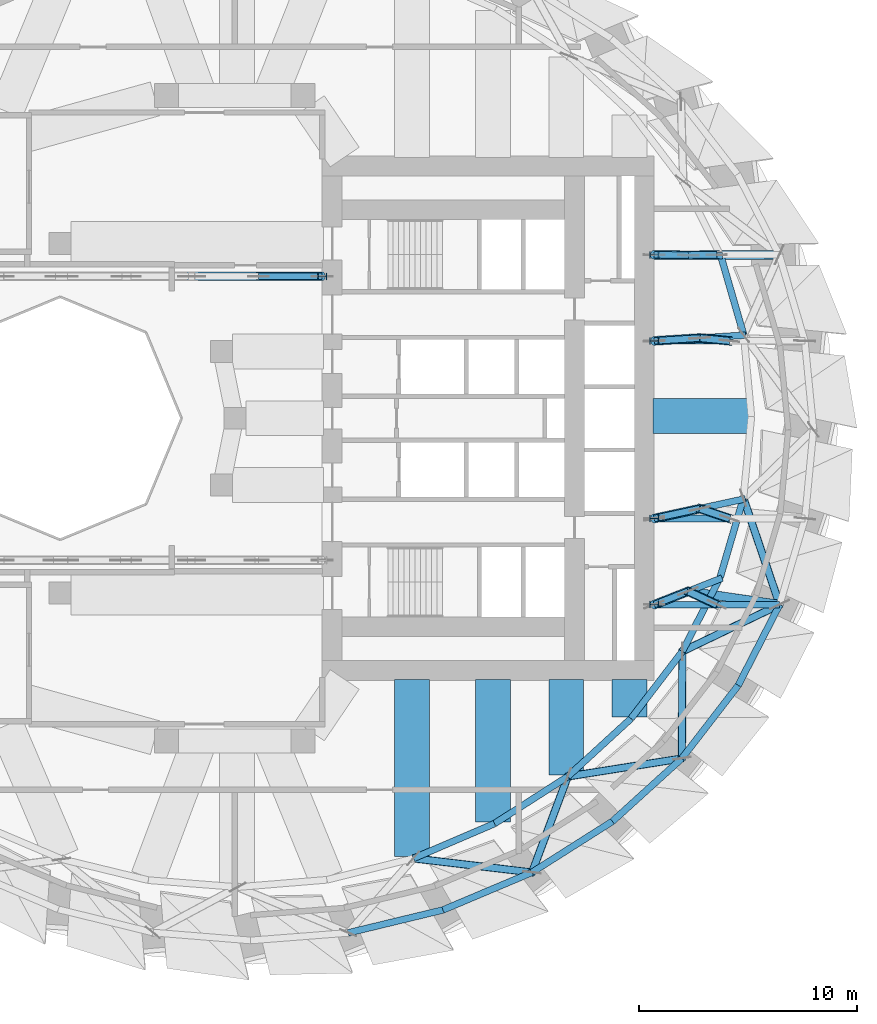
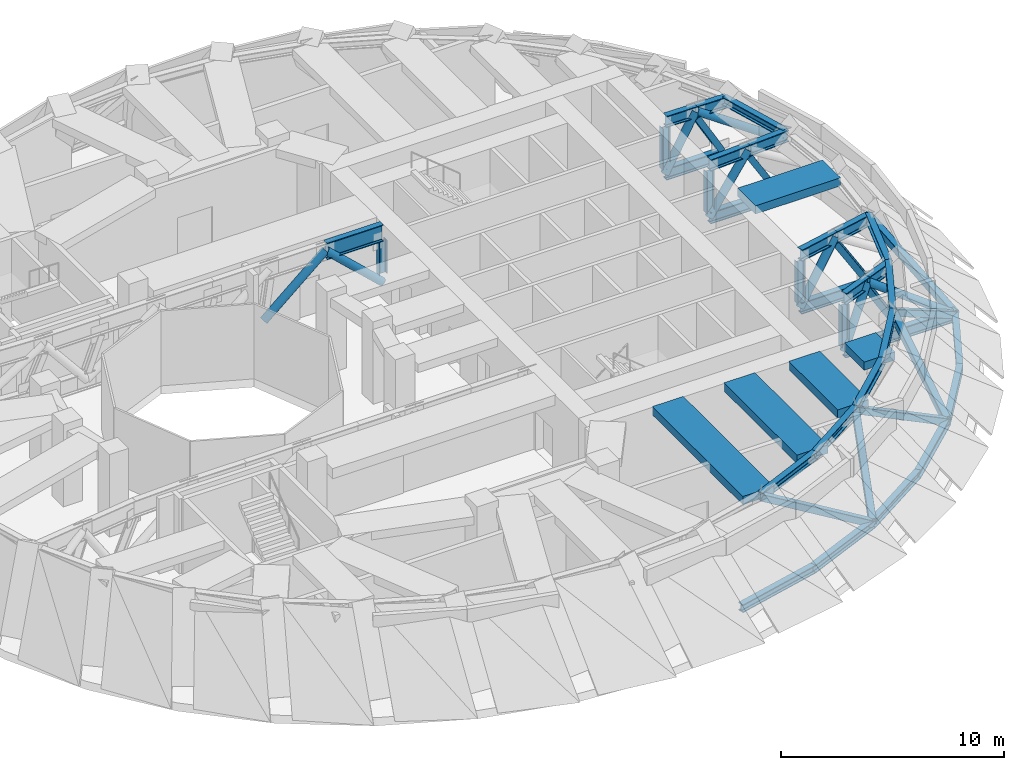
# One storey, part 4 of 14: 50 members, 5 beams.
"""IFC4 building model written with IfcOpenShell, lengths in metres."""

from ifc_helpers import new_model, si_unit, direction, frame, origin, origin_2d, place, context, subcontext, project, spatial, rectangle, hollow_rectangle, hollow_circle, i_section, extrude, material, material_profile, profile_set, type_object, element, save


model = new_model("IFC4")

# Units and contexts
model_context = context("Model", 3, precision=1e-05, world=origin(), true_north=direction((0.0, 1.0)))
body_context = subcontext(model_context, "Body", "Model", "MODEL_VIEW")
ifc_project = project(units=[si_unit("LENGTHUNIT", "METRE"), si_unit("AREAUNIT", "SQUARE_METRE"), si_unit("VOLUMEUNIT", "CUBIC_METRE"), si_unit("PLANEANGLEUNIT", "RADIAN"), si_unit("MASSUNIT", "GRAM", prefix="KILO")], contexts=[model_context])

# Site, building, storey
site_placement = place(None, origin())
site = spatial("IfcSite", under=ifc_project, at=site_placement, CompositionType="ELEMENT")
building_placement = place(site_placement, origin())
building = spatial("IfcBuilding", under=site, at=building_placement, Name="Taillehof Tower", CompositionType="ELEMENT")
storey_placement = place(building_placement, frame((0.0, 0.0, 135.10009765625)))
storey = spatial("IfcBuildingStorey", under=building, at=storey_placement, Name="L38", CompositionType="ELEMENT", Elevation=135.10009765625)

# Members
ifc_material_1 = material(Name="Steel S460M", Category="steel")
ifc_material_profile_1 = material_profile(ifc_material_1, i_section(OverallWidth=0.306884765625, OverallDepth=0.431884765625, WebThickness=0.02099609375, FlangeThickness=0.0400390625, FilletRadius=0.027099609375, at=origin_2d()), Name="HEM 400")
ifc_profile_set_1 = profile_set([ifc_material_profile_1], Name="Steel S460M")
member_type_1 = type_object("IfcMemberType", Name="Belt truss chord HEM 400", PredefinedType="CHORD", material=ifc_profile_set_1)
member_1_placement = place(storey_placement, frame((23.298095703125, 3.814453125, 3.8740234375), z_axis=(-0.278377015365, 0.960471882627, 0.0), x_axis=(-0.960471882627, -0.278377015365, 0.0)))
element("IfcMember", 1, at=member_1_placement, inside=storey, type_object=member_type_1, Name="Belt truss top chord BT02", PredefinedType="CHORD", context=body_context, shape_type="SweptSolid", body=[
    extrude(i_section(OverallWidth=0.306884765625, OverallDepth=0.431884765625, WebThickness=0.02099609375, FlangeThickness=0.0400390625, FilletRadius=0.027099609375, at=origin_2d()), origin(), (0.0, 0.0, 1.0), 3.77294921875),
])
member_2_placement = place(storey_placement, frame((5.19091796875, -23.560302734375, 0.89990234375), z_axis=(0.971998273319, 0.234987992599, 0.0), x_axis=(-0.234987992599, 0.971998273319, 0.0)))
element("IfcMember", 2, at=member_2_placement, inside=storey, type_object=member_type_1, Name="Belt truss bottom chord BB29", PredefinedType="CHORD", context=body_context, shape_type="SweptSolid", body=[
    extrude(i_section(OverallWidth=0.306884765625, OverallDepth=0.431884765625, WebThickness=0.02099609375, FlangeThickness=0.0400390625, FilletRadius=0.027099609375, at=origin_2d()), origin(), (0.0, 0.0, 1.0), 4.46435546875),
])
member_3_placement = place(storey_placement, frame((9.5302734375, -22.51123046875, 0.89990234375), z_axis=(0.921355508032, 0.388721015406, 0.0), x_axis=(-0.388721015406, 0.921355508032, 0.0)))
element("IfcMember", 3, at=member_3_placement, inside=storey, type_object=member_type_1, Name="Belt truss bottom chord BB30", PredefinedType="CHORD", context=body_context, shape_type="SweptSolid", body=[
    extrude(i_section(OverallWidth=0.306884765625, OverallDepth=0.431884765625, WebThickness=0.02099609375, FlangeThickness=0.0400390625, FilletRadius=0.027099609375, at=origin_2d()), origin(), (0.0, 0.0, 1.0), 4.4208984375),
])
member_4_placement = place(storey_placement, frame((8.1748046875, -20.1513671875, 3.8740234375), z_axis=(0.919088768784, 0.394050548909, 0.0), x_axis=(-0.394050548909, 0.919088768784, 0.0)))
element("IfcMember", 4, at=member_4_placement, inside=storey, type_object=member_type_1, Name="Belt truss top chord BT30", PredefinedType="CHORD", context=body_context, shape_type="SweptSolid", body=[
    extrude(i_section(OverallWidth=0.306884765625, OverallDepth=0.431884765625, WebThickness=0.02099609375, FlangeThickness=0.0400390625, FilletRadius=0.027099609375, at=origin_2d()), origin(), (0.0, 0.0, 1.0), 4.040771484375),
])
member_5_placement = place(storey_placement, frame((13.603515625, -20.792724609375, 0.89990234375), z_axis=(0.844428284377, 0.535668621953, 0.0), x_axis=(-0.535668621953, 0.844428284377, 0.0)))
element("IfcMember", 5, at=member_5_placement, inside=storey, type_object=member_type_1, Name="Belt truss bottom chord BB31", PredefinedType="CHORD", context=body_context, shape_type="SweptSolid", body=[
    extrude(i_section(OverallWidth=0.306884765625, OverallDepth=0.431884765625, WebThickness=0.02099609375, FlangeThickness=0.0400390625, FilletRadius=0.027099609375, at=origin_2d()), origin(), (0.0, 0.0, 1.0), 4.36083984375),
])
member_6_placement = place(storey_placement, frame((11.888671875, -18.55908203125, 3.8740234375), z_axis=(0.841228192268, 0.540680246111, 0.0), x_axis=(-0.540680246111, 0.841228192268, 0.0)))
element("IfcMember", 6, at=member_6_placement, inside=storey, type_object=member_type_1, Name="Belt truss top chord BT31", PredefinedType="CHORD", context=body_context, shape_type="SweptSolid", body=[
    extrude(i_section(OverallWidth=0.306884765625, OverallDepth=0.431884765625, WebThickness=0.02099609375, FlangeThickness=0.0400390625, FilletRadius=0.027099609375, at=origin_2d()), origin(), (0.0, 0.0, 1.0), 3.988525390625),
])
member_7_placement = place(storey_placement, frame((17.285888671875, -18.456787109375, 0.89990234375), z_axis=(0.740819749183, 0.671703877628, 0.0), x_axis=(-0.671703877628, 0.740819749183, 0.0)))
element("IfcMember", 7, at=member_7_placement, inside=storey, type_object=member_type_1, Name="Belt truss bottom chord BB32", PredefinedType="CHORD", context=body_context, shape_type="SweptSolid", body=[
    extrude(i_section(OverallWidth=0.306884765625, OverallDepth=0.431884765625, WebThickness=0.02099609375, FlangeThickness=0.0400390625, FilletRadius=0.027099609375, at=origin_2d()), origin(), (0.0, 0.0, 1.0), 4.291748046875),
])
member_8_placement = place(storey_placement, frame((15.243896484375, -16.402587890625, 3.8740234375), z_axis=(0.737079329459, 0.675806231167, 0.0), x_axis=(-0.675806231167, 0.737079329459, 0.0)))
element("IfcMember", 8, at=member_8_placement, inside=storey, type_object=member_type_1, Name="Belt truss top chord BT32", PredefinedType="CHORD", context=body_context, shape_type="SweptSolid", body=[
    extrude(i_section(OverallWidth=0.306884765625, OverallDepth=0.431884765625, WebThickness=0.02099609375, FlangeThickness=0.0400390625, FilletRadius=0.027099609375, at=origin_2d()), origin(), (0.0, 0.0, 1.0), 3.9287109375),
])
member_9_placement = place(storey_placement, frame((20.46533203125, -15.573974609375, 0.89990234375), z_axis=(0.610864579798, 0.791735097838, 0.0), x_axis=(-0.791735097838, 0.610864579798, 0.0)))
element("IfcMember", 9, at=member_9_placement, inside=storey, type_object=member_type_1, Name="Belt truss bottom chord BB33", PredefinedType="CHORD", context=body_context, shape_type="SweptSolid", body=[
    extrude(i_section(OverallWidth=0.306884765625, OverallDepth=0.431884765625, WebThickness=0.02099609375, FlangeThickness=0.0400390625, FilletRadius=0.027099609375, at=origin_2d()), origin(), (0.0, 0.0, 1.0), 4.220947265625),
])
member_10_placement = place(storey_placement, frame((18.1396484375, -13.74755859375, 3.8740234375), z_axis=(0.607325943308, 0.794452766743, 0.0), x_axis=(-0.794452766743, 0.607325943308, 0.0)))
element("IfcMember", 10, at=member_10_placement, inside=storey, type_object=member_type_1, Name="Belt truss top chord BT33", PredefinedType="CHORD", context=body_context, shape_type="SweptSolid", body=[
    extrude(i_section(OverallWidth=0.306884765625, OverallDepth=0.431884765625, WebThickness=0.02099609375, FlangeThickness=0.0400390625, FilletRadius=0.027099609375, at=origin_2d()), origin(), (0.0, 0.0, 1.0), 3.868408203125),
])
member_11_placement = place(storey_placement, frame((23.043701171875, -12.232177734375, 0.89990234375), z_axis=(0.456724307981, 0.889608288237, 0.0), x_axis=(-0.889608288237, 0.456724307981, 0.0)))
element("IfcMember", 11, at=member_11_placement, inside=storey, type_object=member_type_1, Name="Belt truss bottom chord BB34", PredefinedType="CHORD", context=body_context, shape_type="SweptSolid", body=[
    extrude(i_section(OverallWidth=0.306884765625, OverallDepth=0.431884765625, WebThickness=0.02099609375, FlangeThickness=0.0400390625, FilletRadius=0.027099609375, at=origin_2d()), origin(), (0.0, 0.0, 1.0), 4.15771484375),
])
member_12_placement = place(storey_placement, frame((20.489013671875, -10.67431640625, 3.8740234375), z_axis=(0.454163541457, 0.890918333862, 0.0), x_axis=(-0.890918333862, 0.454163541457, 0.0)))
element("IfcMember", 12, at=member_12_placement, inside=storey, type_object=member_type_1, Name="Belt truss top chord BT34", PredefinedType="CHORD", context=body_context, shape_type="SweptSolid", body=[
    extrude(i_section(OverallWidth=0.306884765625, OverallDepth=0.431884765625, WebThickness=0.02099609375, FlangeThickness=0.0400390625, FilletRadius=0.027099609375, at=origin_2d()), origin(), (0.0, 0.0, 1.0), 3.814453125),
])
member_13_placement = place(storey_placement, frame((22.221435546875, -7.27587890625, 3.8740234375), z_axis=(0.281745986548, 0.959489030195, 0.0), x_axis=(-0.959489030195, 0.281745986548, 0.0)))
element("IfcMember", 13, at=member_13_placement, inside=storey, type_object=member_type_1, Name="Belt truss top chord BT35", PredefinedType="CHORD", context=body_context, shape_type="SweptSolid", body=[
    extrude(i_section(OverallWidth=0.306884765625, OverallDepth=0.431884765625, WebThickness=0.02099609375, FlangeThickness=0.0400390625, FilletRadius=0.027099609375, at=origin_2d()), origin(), (0.0, 0.0, 1.0), 3.773681640625),
])
ifc_material_2 = material(Name="Steel S460M", Category="steel")
ifc_material_profile_2 = material_profile(ifc_material_2, hollow_rectangle(XDim=0.35009765625, YDim=0.35009765625, WallThickness=0.01611328125, InnerFilletRadius=0.01611328125, OuterFilletRadius=0.02392578125, at=origin_2d()), Name="RHS 350x350x16")
ifc_profile_set_2 = profile_set([ifc_material_profile_2], Name="Steel S460M")
member_type_2 = type_object("IfcMemberType", Name="Belt truss diagonal RHS 350x350x16", PredefinedType="BRACE", material=ifc_profile_set_2)
member_14_placement = place(storey_placement, frame((8.1748046875, -20.1513671875, 3.8740234375), z_axis=(0.872340853707, -0.103059876897, -0.477912227013), x_axis=(0.117325803491, 0.993093477894, 0.0)))
element("IfcMember", 14, at=member_14_placement, inside=storey, type_object=member_type_2, Name="Belt truss diagonal BX30", PredefinedType="BRACE", context=body_context, shape_type="SweptSolid", body=[
    extrude(hollow_rectangle(XDim=0.35009765625, YDim=0.35009765625, WallThickness=0.01611328125, InnerFilletRadius=0.01611328125, OuterFilletRadius=0.02392578125, at=origin_2d()), origin(), (0.0, 0.0, 1.0), 6.22314453125),
])
member_15_placement = place(storey_placement, frame((13.603515625, -20.792724609375, 0.89990234375), z_axis=(0.295530319547, 0.790925168344, 0.535816394214), x_axis=(-0.936743842691, 0.350015675622, 0.0)))
element("IfcMember", 15, at=member_15_placement, inside=storey, type_object=member_type_2, Name="Belt truss diagonal BX31", PredefinedType="BRACE", context=body_context, shape_type="SweptSolid", body=[
    extrude(hollow_rectangle(XDim=0.35009765625, YDim=0.35009765625, WallThickness=0.01611328125, InnerFilletRadius=0.01611328125, OuterFilletRadius=0.02392578125, at=origin_2d()), origin(), (0.0, 0.0, 1.0), 5.550537109375),
])
member_16_placement = place(storey_placement, frame((15.243896484375, -16.402587890625, 3.8740234375), z_axis=(0.860782131767, 0.13660141933, -0.490300085528), x_axis=(-0.156733224418, 0.987640975438, 0.0)))
element("IfcMember", 16, at=member_16_placement, inside=storey, type_object=member_type_2, Name="Belt truss diagonal BX32", PredefinedType="BRACE", context=body_context, shape_type="SweptSolid", body=[
    extrude(hollow_rectangle(XDim=0.35009765625, YDim=0.35009765625, WallThickness=0.01611328125, InnerFilletRadius=0.01611328125, OuterFilletRadius=0.02392578125, at=origin_2d()), origin(), (0.0, 0.0, 1.0), 6.06591796875),
])
member_17_placement = place(storey_placement, frame((20.46533203125, -15.573974609375, 0.89990234375), z_axis=(0.004131681761, 0.854832178055, 0.518888115654), x_axis=(-0.999988319689, 0.004833268574, 0.0)))
element("IfcMember", 17, at=member_17_placement, inside=storey, type_object=member_type_2, Name="Belt truss diagonal BX33", PredefinedType="BRACE", context=body_context, shape_type="SweptSolid", body=[
    extrude(hollow_rectangle(XDim=0.35009765625, YDim=0.35009765625, WallThickness=0.01611328125, InnerFilletRadius=0.01611328125, OuterFilletRadius=0.02392578125, at=origin_2d()), origin(), (0.0, 0.0, 1.0), 5.731689453125),
])
member_18_placement = place(storey_placement, frame((20.489013671875, -10.67431640625, 3.8740234375), z_axis=(0.772199046781, 0.371199070344, -0.515674201726), x_axis=(-0.433246585979, 0.901275427235, 0.0)))
element("IfcMember", 18, at=member_18_placement, inside=storey, type_object=member_type_2, Name="Belt truss diagonal BX34", PredefinedType="BRACE", context=body_context, shape_type="SweptSolid", body=[
    extrude(hollow_rectangle(XDim=0.35009765625, YDim=0.35009765625, WallThickness=0.01611328125, InnerFilletRadius=0.01611328125, OuterFilletRadius=0.02392578125, at=origin_2d()), origin(), (0.0, 0.0, 1.0), 5.767333984375),
])
member_19_placement = place(storey_placement, frame((24.942626953125, -8.533447265625, 0.89990234375), z_axis=(-0.278685230092, 0.820010052673, 0.499918049328), x_axis=(-0.946814326903, -0.321780407066, 0.0)))
element("IfcMember", 19, at=member_19_placement, inside=storey, type_object=member_type_2, Name="Belt truss diagonal BX35", PredefinedType="BRACE", context=body_context, shape_type="SweptSolid", body=[
    extrude(hollow_rectangle(XDim=0.35009765625, YDim=0.35009765625, WallThickness=0.01611328125, InnerFilletRadius=0.01611328125, OuterFilletRadius=0.02392578125, at=origin_2d()), origin(), (0.0, 0.0, 1.0), 5.94921875),
])
ifc_material_3 = material(Name="Steel S460M", Category="steel")
ifc_material_profile_3 = material_profile(ifc_material_3, i_section(OverallWidth=0.304931640625, OverallDepth=0.6201171875, WebThickness=0.02099609375, FlangeThickness=0.0400390625, FilletRadius=0.027099609375, at=origin_2d()), Name="HEM 600")
ifc_profile_set_3 = profile_set([ifc_material_profile_3], Name="Steel S460M")
member_type_3 = type_object("IfcMemberType", Name="Outrigger chord HEM 600", PredefinedType="CHORD", material=ifc_profile_set_3)
member_20_placement = place(storey_placement, frame((19.199951171875, 3.5419921875, 0.89990234375), z_axis=(1.0, 0.0, 0.0), x_axis=(0.0, 1.0, 0.0)))
element("IfcMember", 20, at=member_20_placement, inside=storey, type_object=member_type_3, Name="Outrigger OT1 bottom chord 01", PredefinedType="CHORD", context=body_context, shape_type="SweptSolid", body=[
    extrude(i_section(OverallWidth=0.304931640625, OverallDepth=0.6201171875, WebThickness=0.02099609375, FlangeThickness=0.0400390625, FilletRadius=0.027099609375, at=origin_2d()), origin(), (0.0, 0.0, 1.0), 3.4462890625),
])
for number, where, z_axis, x_axis, name in (
    (21, (19.199951171875, 3.5419921875, 3.77978515625), (0.998015262222, 0.062972504882, 0.0), (-0.062972504882, 0.998015262222, 0.0), "Outrigger OT1 top chord 01"),
    (22, (21.293212890625, 3.674072265625, 3.77978515625), (0.998022571005, 0.062856565004, 0.0), (-0.062856565004, 0.998022571005, 0.0), "Outrigger OT1 top chord 02"),
):
    element("IfcMember", number, at=place(storey_placement, frame(where, z_axis=z_axis, x_axis=x_axis)), inside=storey, type_object=member_type_3, Name=name, PredefinedType="CHORD", context=body_context, shape_type="SweptSolid", body=[
        extrude(i_section(OverallWidth=0.304931640625, OverallDepth=0.6201171875, WebThickness=0.02099609375, FlangeThickness=0.0400390625, FilletRadius=0.027099609375, at=origin_2d()), origin(), (0.0, 0.0, 1.0), 2.097412109375),
    ])
member_21_placement = place(storey_placement, frame((19.199951171875, 7.48291015625, 0.89990234375), z_axis=(1.0, 0.0, 0.0), x_axis=(0.0, 1.0, 0.0)))
element("IfcMember", 23, at=member_21_placement, inside=storey, type_object=member_type_3, Name="Outrigger OT2 bottom chord 01", PredefinedType="CHORD", context=body_context, shape_type="SweptSolid", body=[
    extrude(i_section(OverallWidth=0.304931640625, OverallDepth=0.6201171875, WebThickness=0.02099609375, FlangeThickness=0.0400390625, FilletRadius=0.027099609375, at=origin_2d()), origin(), (0.0, 0.0, 1.0), 2.8603515625),
])
for number, where, z_axis, x_axis, name in (
    (24, (19.199951171875, 7.48291015625, 3.77978515625), (0.999903773651, -0.013872398419, 0.0), (0.013872398419, 0.999903773651, 0.0), "Outrigger OT2 top chord 01"),
    (25, (20.76611328125, 7.461181640625, 3.77978515625), (0.999905923589, -0.013716558266, 0.0), (0.013716558266, 0.999905923589, 0.0), "Outrigger OT2 top chord 02"),
):
    element("IfcMember", number, at=place(storey_placement, frame(where, z_axis=z_axis, x_axis=x_axis)), inside=storey, type_object=member_type_3, Name=name, PredefinedType="CHORD", context=body_context, shape_type="SweptSolid", body=[
        extrude(i_section(OverallWidth=0.304931640625, OverallDepth=0.6201171875, WebThickness=0.02099609375, FlangeThickness=0.0400390625, FilletRadius=0.027099609375, at=origin_2d()), origin(), (0.0, 0.0, 1.0), 1.56640625),
    ])
member_22_placement = place(storey_placement, frame((19.199951171875, -8.533447265625, 0.89990234375), z_axis=(1.0, 0.0, 0.0), x_axis=(0.0, 1.0, 0.0)))
element("IfcMember", 26, at=member_22_placement, inside=storey, type_object=member_type_3, Name="Outrigger OT3 bottom chord 01", PredefinedType="CHORD", context=body_context, shape_type="SweptSolid", body=[
    extrude(i_section(OverallWidth=0.304931640625, OverallDepth=0.6201171875, WebThickness=0.02099609375, FlangeThickness=0.0400390625, FilletRadius=0.027099609375, at=origin_2d()), origin(), (0.0, 0.0, 1.0), 2.871337890625),
])
member_23_placement = place(storey_placement, frame((19.199951171875, -8.533447265625, 3.77978515625), z_axis=(0.931057024994, 0.364873698984, 0.0), x_axis=(-0.364873698984, 0.931057024994, 0.0)))
element("IfcMember", 27, at=member_23_placement, inside=storey, type_object=member_type_3, Name="Outrigger OT3 top chord 01", PredefinedType="CHORD", context=body_context, shape_type="SweptSolid", body=[
    extrude(i_section(OverallWidth=0.304931640625, OverallDepth=0.6201171875, WebThickness=0.02099609375, FlangeThickness=0.0400390625, FilletRadius=0.027099609375, at=origin_2d()), origin(), (0.0, 0.0, 1.0), 1.668701171875),
])
member_24_placement = place(storey_placement, frame((22.0712890625, -8.533447265625, 0.89990234375), z_axis=(1.0, 0.0, 0.0), x_axis=(0.0, 1.0, 0.0)))
element("IfcMember", 28, at=member_24_placement, inside=storey, type_object=member_type_3, Name="Outrigger OT3 bottom chord 02", PredefinedType="CHORD", context=body_context, shape_type="SweptSolid", body=[
    extrude(i_section(OverallWidth=0.304931640625, OverallDepth=0.6201171875, WebThickness=0.02099609375, FlangeThickness=0.0400390625, FilletRadius=0.027099609375, at=origin_2d()), origin(), (0.0, 0.0, 1.0), 2.871337890625),
])
member_25_placement = place(storey_placement, frame((20.753662109375, -7.924560546875, 3.77978515625), z_axis=(0.931057024994, 0.364873698984, 0.0), x_axis=(-0.364873698984, 0.931057024994, 0.0)))
element("IfcMember", 29, at=member_25_placement, inside=storey, type_object=member_type_3, Name="Outrigger OT3 top chord 02", PredefinedType="CHORD", context=body_context, shape_type="SweptSolid", body=[
    extrude(i_section(OverallWidth=0.304931640625, OverallDepth=0.6201171875, WebThickness=0.02099609375, FlangeThickness=0.0400390625, FilletRadius=0.027099609375, at=origin_2d()), origin(), (0.0, 0.0, 1.0), 1.668701171875),
])
member_26_placement = place(storey_placement, frame((19.199951171875, -4.59033203125, 0.89990234375), z_axis=(1.0, 0.0, 0.0), x_axis=(0.0, 1.0, 0.0)))
element("IfcMember", 30, at=member_26_placement, inside=storey, type_object=member_type_3, Name="Outrigger OT4 bottom chord 01", PredefinedType="CHORD", context=body_context, shape_type="SweptSolid", body=[
    extrude(i_section(OverallWidth=0.304931640625, OverallDepth=0.6201171875, WebThickness=0.02099609375, FlangeThickness=0.0400390625, FilletRadius=0.027099609375, at=origin_2d()), origin(), (0.0, 0.0, 1.0), 3.451904296875),
])
for number, where, z_axis, x_axis, name in (
    (31, (19.199951171875, -4.59033203125, 3.77978515625), (0.977253685423, 0.212073653072, 0.0), (-0.212073653072, 0.977253685423, 0.0), "Outrigger OT4 top chord 01"),
    (32, (21.286865234375, -4.137451171875, 3.77978515625), (0.977253685423, 0.212073653072, 0.0), (-0.212073653072, 0.977253685423, 0.0), "Outrigger OT4 top chord 02"),
):
    element("IfcMember", number, at=place(storey_placement, frame(where, z_axis=z_axis, x_axis=x_axis)), inside=storey, type_object=member_type_3, Name=name, PredefinedType="CHORD", context=body_context, shape_type="SweptSolid", body=[
        extrude(i_section(OverallWidth=0.304931640625, OverallDepth=0.6201171875, WebThickness=0.02099609375, FlangeThickness=0.0400390625, FilletRadius=0.027099609375, at=origin_2d()), origin(), (0.0, 0.0, 1.0), 2.135498046875),
    ])
ifc_material_4 = material(Name="Steel S460M", Category="steel")
ifc_material_profile_4 = material_profile(ifc_material_4, i_section(OverallWidth=0.302001953125, OverallDepth=0.909912109375, WebThickness=0.02099609375, FlangeThickness=0.0400390625, FilletRadius=0.030029296875, at=origin_2d()), Name="HEM 900")
ifc_profile_set_4 = profile_set([ifc_material_profile_4], Name="Steel S460M")
member_type_4 = type_object("IfcMemberType", Name="Outrigger chord HEM 900", PredefinedType="CHORD", material=ifc_profile_set_4)
member_27_placement = place(storey_placement, frame((4.0, 6.5, 3.635009765625), z_axis=(-1.0, 0.0, 0.0), x_axis=(0.0, -1.0, 0.0)))
element("IfcMember", 33, at=member_27_placement, inside=storey, type_object=member_type_4, Name="Outrigger OT5 top chord 01", PredefinedType="CHORD", context=body_context, shape_type="SweptSolid", body=[
    extrude(i_section(OverallWidth=0.302001953125, OverallDepth=0.909912109375, WebThickness=0.02099609375, FlangeThickness=0.0400390625, FilletRadius=0.030029296875, at=origin_2d()), origin(), (0.0, 0.0, 1.0), 2.9169921875),
])
ifc_material_5 = material(Name="Steel S460M", Category="steel")
ifc_material_profile_5 = material_profile(ifc_material_5, hollow_circle(Radius=0.203125, WallThickness=0.02001953125, at=origin_2d()), Name="CHS 406.4x20")
ifc_profile_set_5 = profile_set([ifc_material_profile_5], Name="Steel S460M")
member_type_5 = type_object("IfcMemberType", Name="Outrigger diagonal CHS 406.4x20", PredefinedType="BRACE", material=ifc_profile_set_5)
member_28_placement = place(storey_placement, frame((19.199951171875, 3.5419921875, 0.89990234375), z_axis=(0.587547319169, 0.037072906423, 0.808340118605), x_axis=(-0.062972504882, 0.998015262222, 0.0)))
element("IfcMember", 34, at=member_28_placement, inside=storey, type_object=member_type_5, Name="Outrigger OT1 diagonal 01", PredefinedType="BRACE", context=body_context, shape_type="SweptSolid", body=[
    extrude(hollow_circle(Radius=0.203125, WallThickness=0.02001953125, at=origin_2d()), origin(), (0.0, 0.0, 1.0), 3.562744140625),
])
member_29_placement = place(storey_placement, frame((19.199951171875, 7.48291015625, 0.89990234375), z_axis=(0.477740277961, -0.006628041269, 0.878476121407), x_axis=(0.013872398419, 0.999903773651, 0.0)))
element("IfcMember", 35, at=member_29_placement, inside=storey, type_object=member_type_5, Name="Outrigger OT2 diagonal 01", PredefinedType="BRACE", context=body_context, shape_type="SweptSolid", body=[
    extrude(hollow_circle(Radius=0.203125, WallThickness=0.02001953125, at=origin_2d()), origin(), (0.0, 0.0, 1.0), 3.2783203125),
])
member_30_placement = place(storey_placement, frame((20.76611328125, 7.461181640625, 3.77978515625), z_axis=(0.821845415813, 0.004298304167, -0.569694336542), x_axis=(-0.005229992525, 0.999986323496, 0.0)))
element("IfcMember", 36, at=member_30_placement, inside=storey, type_object=member_type_5, Name="Outrigger OT2 diagonal 02", PredefinedType="BRACE", context=body_context, shape_type="SweptSolid", body=[
    extrude(hollow_circle(Radius=0.203125, WallThickness=0.02001953125, at=origin_2d()), origin(), (0.0, 0.0, 1.0), 5.05517578125),
])
member_31_placement = place(storey_placement, frame((19.199951171875, -8.533447265625, 0.89990234375), z_axis=(0.466799112578, 0.182934787362, 0.865236067249), x_axis=(-0.364873698984, 0.931057024994, 0.0)))
element("IfcMember", 37, at=member_31_placement, inside=storey, type_object=member_type_5, Name="Outrigger OT3 diagonal 01", PredefinedType="BRACE", context=body_context, shape_type="SweptSolid", body=[
    extrude(hollow_circle(Radius=0.203125, WallThickness=0.02001953125, at=origin_2d()), origin(), (0.0, 0.0, 1.0), 3.328369140625),
])
member_32_placement = place(storey_placement, frame((20.753662109375, -7.924560546875, 3.77978515625), z_axis=(0.818196297261, -0.118928870811, -0.562503993618), x_axis=(0.143843314238, 0.989600475419, 0.0)))
element("IfcMember", 38, at=member_32_placement, inside=storey, type_object=member_type_5, Name="Outrigger OT3 diagonal 02", PredefinedType="BRACE", context=body_context, shape_type="SweptSolid", body=[
    extrude(hollow_circle(Radius=0.203125, WallThickness=0.02001953125, at=origin_2d()), origin(), (0.0, 0.0, 1.0), 5.119873046875),
])
member_33_placement = place(storey_placement, frame((19.199951171875, -4.59033203125, 0.89990234375), z_axis=(0.582082848914, 0.126317698261, 0.803257988511), x_axis=(-0.212073653072, 0.977253685423, 0.0)))
element("IfcMember", 39, at=member_33_placement, inside=storey, type_object=member_type_5, Name="Outrigger OT4 diagonal 01", PredefinedType="BRACE", context=body_context, shape_type="SweptSolid", body=[
    extrude(hollow_circle(Radius=0.203125, WallThickness=0.02001953125, at=origin_2d()), origin(), (0.0, 0.0, 1.0), 3.585205078125),
])
member_34_placement = place(storey_placement, frame((4.0, 6.5, 0.89990234375), z_axis=(-0.729483889957, 0.0, 0.683997992902), x_axis=(0.0, -1.0, 0.0)))
element("IfcMember", 40, at=member_34_placement, inside=storey, type_object=member_type_5, Name="Outrigger OT5 diagonal 01", PredefinedType="BRACE", context=body_context, shape_type="SweptSolid", body=[
    extrude(hollow_circle(Radius=0.203125, WallThickness=0.02001953125, at=origin_2d()), origin(), (0.0, 0.0, 1.0), 3.998779296875),
])
member_35_placement = place(storey_placement, frame((1.0830078125, 6.5, 3.635009765625), z_axis=(-0.758981663917, 0.0, -0.651111997922), x_axis=(0.0, -1.0, 0.0)))
element("IfcMember", 41, at=member_35_placement, inside=storey, type_object=member_type_5, Name="Outrigger OT5 diagonal 02", PredefinedType="BRACE", context=body_context, shape_type="SweptSolid", body=[
    extrude(hollow_circle(Radius=0.203125, WallThickness=0.02001953125, at=origin_2d()), origin(), (0.0, 0.0, 1.0), 4.20068359375),
])
ifc_material_6 = material(Name="Steel S460M", Category="steel")
ifc_material_profile_6 = material_profile(ifc_material_6, i_section(OverallWidth=0.300048828125, OverallDepth=0.39990234375, WebThickness=0.013427734375, FlangeThickness=0.02392578125, FilletRadius=0.027099609375, at=origin_2d()), Name="HEB 400")
ifc_profile_set_6 = profile_set([ifc_material_profile_6], Name="Steel S460M")
member_type_6 = type_object("IfcMemberType", Name="Outrigger post HEB 400", PredefinedType="POST", material=ifc_profile_set_6)
member_36_placement = place(storey_placement, frame((19.199951171875, 3.5419921875, 1.2099609375), z_axis=(0.0, 0.0, 1.0), x_axis=(0.0, -1.0, 0.0)))
element("IfcMember", 42, at=member_36_placement, inside=storey, type_object=member_type_6, Name="Outrigger OT1 post 01", PredefinedType="POST", context=body_context, shape_type="SweptSolid", body=[
    extrude(i_section(OverallWidth=0.300048828125, OverallDepth=0.39990234375, WebThickness=0.013427734375, FlangeThickness=0.02392578125, FilletRadius=0.027099609375, at=origin_2d()), origin(), (0.0, 0.0, 1.0), 2.260009765625),
])
member_37_placement = place(storey_placement, frame((22.646240234375, 3.5419921875, 1.2099609375), z_axis=(-0.513019526737, 0.050080036803, 0.856914788705), x_axis=(-0.852860835705, 0.083254729721, -0.515458092282)))
element("IfcMember", 43, at=member_37_placement, inside=storey, type_object=member_type_6, Name="Outrigger OT1 post 02", PredefinedType="POST", context=body_context, shape_type="SweptSolid", body=[
    extrude(i_section(OverallWidth=0.300048828125, OverallDepth=0.39990234375, WebThickness=0.013427734375, FlangeThickness=0.02392578125, FilletRadius=0.027099609375, at=origin_2d()), origin(), (0.0, 0.0, 1.0), 2.637451171875),
])
member_38_placement = place(storey_placement, frame((19.199951171875, 7.48291015625, 1.2099609375), z_axis=(0.0, 0.0, 1.0), x_axis=(0.0, -1.0, 0.0)))
element("IfcMember", 44, at=member_38_placement, inside=storey, type_object=member_type_6, Name="Outrigger OT2 post 01", PredefinedType="POST", context=body_context, shape_type="SweptSolid", body=[
    extrude(i_section(OverallWidth=0.300048828125, OverallDepth=0.39990234375, WebThickness=0.013427734375, FlangeThickness=0.02392578125, FilletRadius=0.027099609375, at=origin_2d()), origin(), (0.0, 0.0, 1.0), 2.260009765625),
])
member_39_placement = place(storey_placement, frame((22.060302734375, 7.48291015625, 1.2099609375), z_axis=(-0.496918978341, -0.008342914369, 0.867756835032), x_axis=(-0.867634559193, -0.014566963925, -0.49698900919)))
element("IfcMember", 45, at=member_39_placement, inside=storey, type_object=member_type_6, Name="Outrigger OT2 post 02", PredefinedType="POST", context=body_context, shape_type="SweptSolid", body=[
    extrude(i_section(OverallWidth=0.300048828125, OverallDepth=0.39990234375, WebThickness=0.013427734375, FlangeThickness=0.02392578125, FilletRadius=0.027099609375, at=origin_2d()), origin(), (0.0, 0.0, 1.0), 2.6044921875),
])
member_40_placement = place(storey_placement, frame((19.199951171875, -8.533447265625, 1.2099609375), z_axis=(0.0, 0.0, 1.0), x_axis=(0.0, -1.0, 0.0)))
element("IfcMember", 46, at=member_40_placement, inside=storey, type_object=member_type_6, Name="Outrigger OT3 post 01", PredefinedType="POST", context=body_context, shape_type="SweptSolid", body=[
    extrude(i_section(OverallWidth=0.300048828125, OverallDepth=0.39990234375, WebThickness=0.013427734375, FlangeThickness=0.02392578125, FilletRadius=0.027099609375, at=origin_2d()), origin(), (0.0, 0.0, 1.0), 2.260009765625),
])
member_41_placement = place(storey_placement, frame((22.0712890625, -8.533447265625, 1.2099609375), z_axis=(-0.490555906903, 0.226690092981, 0.841407454178), x_axis=(-0.763798024752, 0.352957619739, -0.540401236169)))
element("IfcMember", 47, at=member_41_placement, inside=storey, type_object=member_type_6, Name="Outrigger OT3 post 02", PredefinedType="POST", context=body_context, shape_type="SweptSolid", body=[
    extrude(i_section(OverallWidth=0.300048828125, OverallDepth=0.39990234375, WebThickness=0.013427734375, FlangeThickness=0.02392578125, FilletRadius=0.027099609375, at=origin_2d()), origin(), (0.0, 0.0, 1.0), 2.68603515625),
])
member_42_placement = place(storey_placement, frame((19.199951171875, -4.59033203125, 1.2099609375), z_axis=(0.0, 0.0, 1.0), x_axis=(0.0, -1.0, 0.0)))
element("IfcMember", 48, at=member_42_placement, inside=storey, type_object=member_type_6, Name="Outrigger OT4 post 01", PredefinedType="POST", context=body_context, shape_type="SweptSolid", body=[
    extrude(i_section(OverallWidth=0.300048828125, OverallDepth=0.39990234375, WebThickness=0.013427734375, FlangeThickness=0.02392578125, FilletRadius=0.027099609375, at=origin_2d()), origin(), (0.0, 0.0, 1.0), 2.260009765625),
])
member_43_placement = place(storey_placement, frame((22.65185546875, -4.59033203125, 1.2099609375), z_axis=(-0.509553791403, 0.169061399222, 0.843666508141), x_axis=(-0.800743918209, 0.265673398011, -0.536867602897)))
element("IfcMember", 49, at=member_43_placement, inside=storey, type_object=member_type_6, Name="Outrigger OT4 post 02", PredefinedType="POST", context=body_context, shape_type="SweptSolid", body=[
    extrude(i_section(OverallWidth=0.300048828125, OverallDepth=0.39990234375, WebThickness=0.013427734375, FlangeThickness=0.02392578125, FilletRadius=0.027099609375, at=origin_2d()), origin(), (0.0, 0.0, 1.0), 2.6787109375),
])
member_44_placement = place(storey_placement, frame((4.0, 6.5, 1.35498046875), z_axis=(0.0, 0.0, 1.0), x_axis=(0.0, 1.0, 0.0)))
element("IfcMember", 50, at=member_44_placement, inside=storey, type_object=member_type_6, Name="Outrigger OT5 post 01", PredefinedType="POST", context=body_context, shape_type="SweptSolid", body=[
    extrude(i_section(OverallWidth=0.300048828125, OverallDepth=0.39990234375, WebThickness=0.013427734375, FlangeThickness=0.02392578125, FilletRadius=0.027099609375, at=origin_2d()), origin(), (0.0, 0.0, 1.0), 1.824951171875),
])

# Beams
ifc_material_7 = material(Name="Concrete C50/60", Category="concrete")
ifc_material_profile_7 = material_profile(ifc_material_7, rectangle(XDim=1.60009765625, YDim=0.449951171875, at=origin_2d()), Name="RC 1600x450")
ifc_profile_set_7 = profile_set([ifc_material_profile_7], Name="Concrete C50/60")
beam_type = type_object("IfcBeamType", Name="Radial band beam C50/60 1600x450", PredefinedType="BEAM", material=ifc_profile_set_7)
beam_1_placement = place(storey_placement, frame((23.550048828125, 0.10009765625, 3.864990234375), z_axis=(-1.0, 0.0, 0.0), x_axis=(0.0, -1.0, 0.0)))
element("IfcBeam", 51, at=beam_1_placement, inside=storey, type_object=beam_type, Name="Radial band beam RB01", PredefinedType="BEAM", context=body_context, shape_type="SweptSolid", body=[
    extrude(rectangle(XDim=1.60009765625, YDim=0.449951171875, at=origin_2d()), origin(), (0.0, 0.0, 1.0), 4.400146484375),
])
beam_2_placement = place(storey_placement, frame((8.120361328125, -20.056396484375, 3.864990234375), z_axis=(0.0, 1.0, 0.0), x_axis=(-1.0, 0.0, 0.0)))
element("IfcBeam", 52, at=beam_2_placement, inside=storey, type_object=beam_type, Name="Radial band beam RB30", PredefinedType="BEAM", context=body_context, shape_type="SweptSolid", body=[
    extrude(rectangle(XDim=1.60009765625, YDim=0.449951171875, at=origin_2d()), origin(), (0.0, 0.0, 1.0), 8.1064453125),
])
beam_3_placement = place(storey_placement, frame((11.824951171875, -18.476318359375, 3.864990234375), z_axis=(0.0, 1.0, 0.0), x_axis=(-1.0, 0.0, 0.0)))
element("IfcBeam", 53, at=beam_3_placement, inside=storey, type_object=beam_type, Name="Radial band beam RB31", PredefinedType="BEAM", context=body_context, shape_type="SweptSolid", body=[
    extrude(rectangle(XDim=1.60009765625, YDim=0.449951171875, at=origin_2d()), origin(), (0.0, 0.0, 1.0), 6.5263671875),
])
beam_4_placement = place(storey_placement, frame((15.17333984375, -16.33154296875, 3.864990234375), z_axis=(0.0, 1.0, 0.0), x_axis=(-1.0, 0.0, 0.0)))
element("IfcBeam", 54, at=beam_4_placement, inside=storey, type_object=beam_type, Name="Radial band beam RB32", PredefinedType="BEAM", context=body_context, shape_type="SweptSolid", body=[
    extrude(rectangle(XDim=1.60009765625, YDim=0.449951171875, at=origin_2d()), origin(), (0.0, 0.0, 1.0), 4.381591796875),
])
beam_5_placement = place(storey_placement, frame((18.063720703125, -13.687744140625, 3.864990234375), z_axis=(0.0, 1.0, 0.0), x_axis=(-1.0, 0.0, 0.0)))
element("IfcBeam", 55, at=beam_5_placement, inside=storey, type_object=beam_type, Name="Radial band beam RB33", PredefinedType="BEAM", context=body_context, shape_type="SweptSolid", body=[
    extrude(rectangle(XDim=1.60009765625, YDim=0.449951171875, at=origin_2d()), origin(), (0.0, 0.0, 1.0), 1.73779296875),
])

save(model, "model.ifc")
